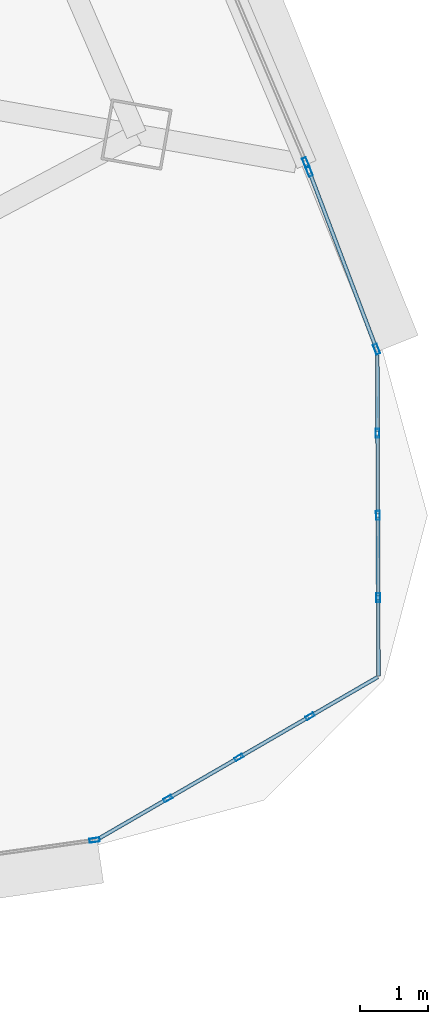
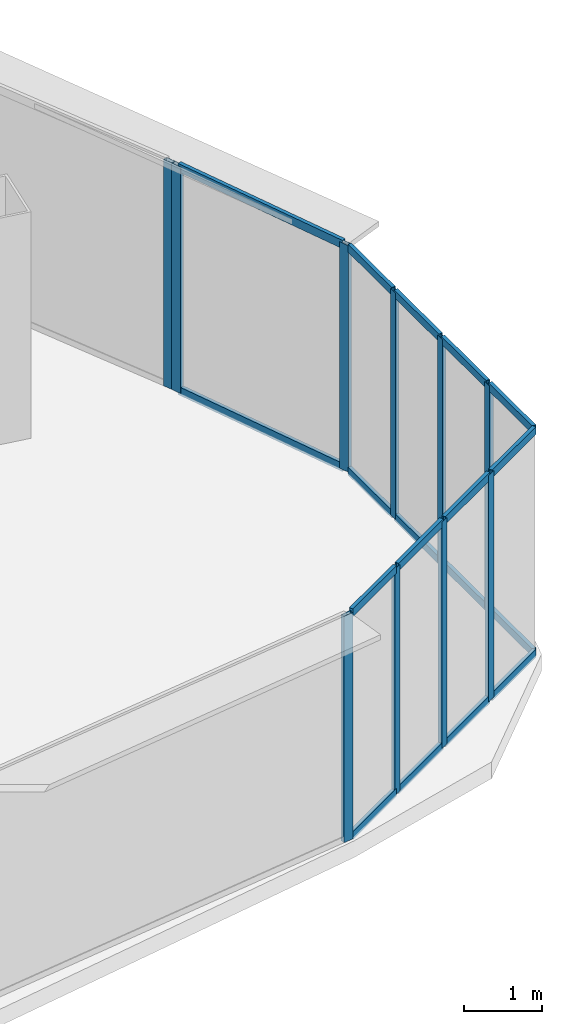
# One storey, part 24 of 40: 28 members, 5 elements without a shape of their own.
"""IFC4 building model written with IfcOpenShell, lengths in metres."""

from ifc_helpers import new_model, si_unit, direction, frame, origin, origin_2d, place, context, subcontext, project, spatial, hollow_rectangle, extrude, source, transform, mapped, material, layer, layer_set, material_profile, profile_set, type_object, element, aggregate, save


model = new_model("IFC4")

# Units and contexts
model_context = context("Model", 3, precision=1e-05, world=origin(), true_north=direction((0.0, 1.0)))
body_context = subcontext(model_context, "Body", "Model", "MODEL_VIEW")
ifc_project = project(units=[si_unit("LENGTHUNIT", "METRE"), si_unit("AREAUNIT", "SQUARE_METRE"), si_unit("VOLUMEUNIT", "CUBIC_METRE"), si_unit("PLANEANGLEUNIT", "RADIAN"), si_unit("MASSUNIT", "GRAM", prefix="KILO"), si_unit("THERMODYNAMICTEMPERATUREUNIT", "KELVIN"), si_unit("POWERUNIT", "WATT")], contexts=[model_context])

# Site, building, storey
site_placement = place(None, origin())
site = spatial("IfcSite", under=ifc_project, at=site_placement, CompositionType="ELEMENT")
building_placement = place(site_placement, origin())
building = spatial("IfcBuilding", under=site, at=building_placement, Name="Yunzhuo Pagoda Commons", CompositionType="ELEMENT")
storey_placement = place(building_placement, frame((0.0, 0.0, 180.9599609375)))
storey = spatial("IfcBuildingStorey", under=building, at=storey_placement, Name="L45", CompositionType="ELEMENT", Elevation=180.9599609375)

# Curtain wall, members
ifc_material = material(Name="Anodized aluminium 6063-T6", Category="aluminium")
ifc_layer_1 = layer(ifc_material, 0.1298828125)
ifc_layer_set_1 = layer_set([ifc_layer_1], Name="Anodized aluminium 6063-T6")
curtain_wall_type_1 = type_object("IfcCurtainWallType", Name="CW-VTX Rounded Corner Curtain Wall", PredefinedType="NOTDEFINED", material=ifc_layer_set_1)
curtain_wall_1_placement = place(storey_placement, origin())
curtain_wall_1 = element("IfcCurtainWall", 1, at=curtain_wall_1_placement, inside=storey, type_object=curtain_wall_type_1, Name="L45 curtain wall CW-L45-VTX2S1", PredefinedType="NOTDEFINED")
ifc_material_profile_1 = material_profile(ifc_material, hollow_rectangle(XDim=0.054931640625, YDim=0.1298828125, WallThickness=0.00341796875, at=origin_2d()), Name="Anodized aluminium 6063-T6")
ifc_profile_set_1 = profile_set([ifc_material_profile_1], Name="Anodized aluminium 6063-T6")
member_type_1 = type_object("IfcMemberType", Name="CW-VTX-M Mullion RHS 130x55x3.5", PredefinedType="MULLION", material=ifc_profile_set_1)
shared_shape_1 = source(origin(), body_context, "Body", "SweptSolid", [
    extrude(hollow_rectangle(XDim=0.054931640625, YDim=0.1298828125, WallThickness=0.00341796875, at=origin_2d()), origin(), (0.0, 0.0, 1.0), 3.5400390625),
])
member_1_placement = place(storey_placement, frame((83.66357421875, 17.789306640625, 0.0), z_axis=(0.0, 0.0, 1.0), x_axis=(-0.501040373263, 0.865423910208, 0.0)))
member_1 = element("IfcMember", 2, at=member_1_placement, type_object=member_type_1, Name="CW mullion 2", PredefinedType="MULLION", context=body_context, shape_type="MappedRepresentation", body=[
    mapped(shared_shape_1, transform((0.0, 0.0, 0.0), scale=1.0)),
])
member_2_placement = place(storey_placement, frame((84.702880859375, 18.390869140625, 0.0), z_axis=(0.0, 0.0, 1.0), x_axis=(-0.501040373263, 0.865423910208, 0.0)))
member_2 = element("IfcMember", 3, at=member_2_placement, type_object=member_type_1, Name="CW mullion 3", PredefinedType="MULLION", context=body_context, shape_type="MappedRepresentation", body=[
    mapped(shared_shape_1, transform((0.0, 0.0, 0.0), scale=1.0)),
])
member_3_placement = place(storey_placement, frame((85.742431640625, 18.99267578125, 0.0), z_axis=(0.0, 0.0, 1.0), x_axis=(-0.501040373263, 0.865423910208, 0.0)))
member_3 = element("IfcMember", 4, at=member_3_placement, type_object=member_type_1, Name="CW mullion 4", PredefinedType="MULLION", context=body_context, shape_type="MappedRepresentation", body=[
    mapped(shared_shape_1, transform((0.0, 0.0, 0.0), scale=1.0)),
])

curtain_wall_2_placement = place(storey_placement, origin())
curtain_wall_2 = element("IfcCurtainWall", 5, at=curtain_wall_2_placement, inside=storey, type_object=curtain_wall_type_1, Name="L45 curtain wall CW-L45-VTX2S2", PredefinedType="NOTDEFINED")
member_4_placement = place(storey_placement, frame((86.737548828125, 20.725830078125, 0.0), z_axis=(0.0, 0.0, 1.0), x_axis=(-0.99999359061, -0.003580326762, 0.0)))
member_4 = element("IfcMember", 6, at=member_4_placement, type_object=member_type_1, Name="CW mullion 2", PredefinedType="MULLION", context=body_context, shape_type="MappedRepresentation", body=[
    mapped(shared_shape_1, transform((0.0, 0.0, 0.0), scale=1.0)),
])
member_5_placement = place(storey_placement, frame((86.733154296875, 21.927001953125, 0.0), z_axis=(0.0, 0.0, 1.0), x_axis=(-0.99999359061, -0.003580326762, 0.0)))
member_5 = element("IfcMember", 7, at=member_5_placement, type_object=member_type_1, Name="CW mullion 3", PredefinedType="MULLION", context=body_context, shape_type="MappedRepresentation", body=[
    mapped(shared_shape_1, transform((0.0, 0.0, 0.0), scale=1.0)),
])
member_6_placement = place(storey_placement, frame((86.72900390625, 23.1279296875, 0.0), z_axis=(0.0, 0.0, 1.0), x_axis=(-0.99999359061, -0.003580326762, 0.0)))
member_6 = element("IfcMember", 8, at=member_6_placement, type_object=member_type_1, Name="CW mullion 4", PredefinedType="MULLION", context=body_context, shape_type="MappedRepresentation", body=[
    mapped(shared_shape_1, transform((0.0, 0.0, 0.0), scale=1.0)),
])

# Curtain wall, member
ifc_layer_2 = layer(ifc_material, 0.14990234375)
ifc_layer_set_2 = layer_set([ifc_layer_2], Name="Anodized aluminium 6063-T6")
curtain_wall_type_2 = type_object("IfcCurtainWallType", Name="CW-MID Mid-Zone Ribbon Curtain Wall", PredefinedType="NOTDEFINED", material=ifc_layer_set_2)
curtain_wall_3_placement = place(storey_placement, origin())
curtain_wall_3 = element("IfcCurtainWall", 9, at=curtain_wall_3_placement, inside=storey, type_object=curtain_wall_type_2, Name="L45 curtain wall CW-L45-F1B5", PredefinedType="NOTDEFINED")
ifc_material_profile_2 = material_profile(ifc_material, hollow_rectangle(XDim=0.06005859375, YDim=0.14990234375, WallThickness=0.00390625, at=origin_2d()), Name="Anodized aluminium 6063-T6")
ifc_profile_set_2 = profile_set([ifc_material_profile_2], Name="Anodized aluminium 6063-T6")
member_type_2 = type_object("IfcMemberType", Name="CW-MID-M Mullion RHS 150x60x4", PredefinedType="MULLION", material=ifc_profile_set_2)
shared_shape_2 = source(origin(), body_context, "Body", "SweptSolid", [
    extrude(hollow_rectangle(XDim=0.06005859375, YDim=0.14990234375, WallThickness=0.00390625, at=origin_2d()), origin(), (0.0, 0.0, 1.0), 3.5400390625),
])
member_7_placement = place(storey_placement, frame((82.594482421875, 17.183349609375, 0.0), z_axis=(0.0, 0.0, 1.0), x_axis=(-0.139233100351, 0.990259634524, 0.0)))
member_7 = element("IfcMember", 10, at=member_7_placement, type_object=member_type_2, Name="CW mullion 2", PredefinedType="MULLION", context=body_context, shape_type="MappedRepresentation", body=[
    mapped(shared_shape_2, transform((0.0, 0.0, 0.0), scale=1.0)),
])
aggregate(curtain_wall_3, [member_7])

curtain_wall_4_placement = place(storey_placement, origin())
curtain_wall_4 = element("IfcCurtainWall", 11, at=curtain_wall_4_placement, inside=storey, type_object=curtain_wall_type_2, Name="L45 curtain wall CW-L45-F2B2", PredefinedType="NOTDEFINED")
member_8_placement = place(storey_placement, frame((85.6806640625, 27.081298828125, 0.0), z_axis=(0.0, 0.0, 1.0), x_axis=(-0.920515325194, -0.390706457693, 0.0)))
member_8 = element("IfcMember", 12, at=member_8_placement, type_object=member_type_2, Name="CW mullion 1", PredefinedType="MULLION", context=body_context, shape_type="MappedRepresentation", body=[
    mapped(shared_shape_2, transform((0.0, 0.0, 0.0), scale=1.0)),
])
aggregate(curtain_wall_4, [member_8])

# Curtain wall, members
curtain_wall_5_placement = place(storey_placement, origin())
curtain_wall_5 = element("IfcCurtainWall", 13, at=curtain_wall_5_placement, inside=storey, type_object=curtain_wall_type_2, Name="L45 curtain wall CW-L45-F2B1", PredefinedType="NOTDEFINED")
member_9_placement = place(storey_placement, frame((86.7138671875, 24.35693359375, 0.0), z_axis=(0.0, 0.0, 1.0), x_axis=(-0.935148483493, -0.354256000401, 0.0)))
member_9 = element("IfcMember", 14, at=member_9_placement, type_object=member_type_2, Name="CW mullion 1", PredefinedType="MULLION", context=body_context, shape_type="MappedRepresentation", body=[
    mapped(shared_shape_2, transform((0.0, 0.0, 0.0), scale=1.0)),
])
member_10_placement = place(storey_placement, frame((85.7294921875, 26.95556640625, 0.0), z_axis=(0.0, 0.0, 1.0), x_axis=(-0.935148483493, -0.354256000401, 0.0)))
member_10 = element("IfcMember", 15, at=member_10_placement, type_object=member_type_2, Name="CW mullion 2", PredefinedType="MULLION", context=body_context, shape_type="MappedRepresentation", body=[
    mapped(shared_shape_2, transform((0.0, 0.0, 0.0), scale=1.0)),
])
ifc_material_profile_3 = material_profile(ifc_material, hollow_rectangle(XDim=0.054931640625, YDim=0.1298828125, WallThickness=0.00341796875, at=origin_2d()), Name="Anodized aluminium 6063-T6")
ifc_profile_set_3 = profile_set([ifc_material_profile_3], Name="Anodized aluminium 6063-T6")
member_type_3 = type_object("IfcMemberType", Name="CW-MID-T Transom RHS 130x55x3.5", PredefinedType="USERDEFINED", material=ifc_profile_set_3)
shared_shape_3 = source(origin(), body_context, "Body", "SweptSolid", [
    extrude(hollow_rectangle(XDim=0.054931640625, YDim=0.1298828125, WallThickness=0.00341796875, at=origin_2d()), origin(), (0.0, 0.0, 1.0), 2.71875),
])
member_11_placement = place(storey_placement, frame((86.703369140625, 24.385009765625, 0.027587890625), z_axis=(-0.354250859445, 0.935150430991, 0.0), x_axis=(-0.935150430991, -0.354250859445, 0.0)))
member_11 = element("IfcMember", 16, at=member_11_placement, type_object=member_type_3, Name="CW transom 1.1", ObjectType="TRANSOM", PredefinedType="USERDEFINED", context=body_context, shape_type="MappedRepresentation", body=[
    mapped(shared_shape_3, transform((0.0, 0.0, 0.0), scale=1.0)),
])
member_12_placement = place(storey_placement, frame((86.703369140625, 24.385009765625, 3.512451171875), z_axis=(-0.354250859445, 0.935150430991, 0.0), x_axis=(-0.935150430991, -0.354250859445, 0.0)))
member_12 = element("IfcMember", 17, at=member_12_placement, type_object=member_type_3, Name="CW transom 1.2", ObjectType="TRANSOM", PredefinedType="USERDEFINED", context=body_context, shape_type="MappedRepresentation", body=[
    mapped(shared_shape_3, transform((0.0, 0.0, 0.0), scale=1.0)),
])
aggregate(curtain_wall_5, [member_9, member_10, member_11, member_12])

# Member
ifc_material_profile_4 = material_profile(ifc_material, hollow_rectangle(XDim=0.054931640625, YDim=0.1201171875, WallThickness=0.00341796875, at=origin_2d()), Name="Anodized aluminium 6063-T6")
ifc_profile_set_4 = profile_set([ifc_material_profile_4], Name="Anodized aluminium 6063-T6")
member_type_4 = type_object("IfcMemberType", Name="CW-VTX-T Transom RHS 120x55x3.5", PredefinedType="USERDEFINED", material=ifc_profile_set_4)
shared_shape_4 = source(origin(), body_context, "Body", "SweptSolid", [
    extrude(hollow_rectangle(XDim=0.054931640625, YDim=0.1201171875, WallThickness=0.00341796875, at=origin_2d()), origin(), (0.0, 0.0, 1.0), 1.118408203125),
])
member_13_placement = place(storey_placement, frame((86.728759765625, 23.155517578125, 0.027587890625), z_axis=(-0.003274376684, 0.999994639214, 0.0), x_axis=(-0.999994639214, -0.003274376684, 0.0)))
member_13 = element("IfcMember", 18, at=member_13_placement, type_object=member_type_4, Name="CW transom 4.1", ObjectType="TRANSOM", PredefinedType="USERDEFINED", context=body_context, shape_type="MappedRepresentation", body=[
    mapped(shared_shape_4, transform((0.0, 0.0, 0.0), scale=1.0)),
])

member_14_placement = place(storey_placement, frame((86.728759765625, 23.155517578125, 3.512451171875), z_axis=(-0.003274376684, 0.999994639214, 0.0), x_axis=(-0.999994639214, -0.003274376684, 0.0)))
member_14 = element("IfcMember", 19, at=member_14_placement, type_object=member_type_4, Name="CW transom 4.2", ObjectType="TRANSOM", PredefinedType="USERDEFINED", context=body_context, shape_type="MappedRepresentation", body=[
    mapped(shared_shape_4, transform((0.0, 0.0, 0.0), scale=1.0)),
])

shared_shape_5 = source(origin(), body_context, "Body", "SweptSolid", [
    extrude(hollow_rectangle(XDim=0.054931640625, YDim=0.1201171875, WallThickness=0.00341796875, at=origin_2d()), origin(), (0.0, 0.0, 1.0), 1.14599609375),
])
member_15_placement = place(storey_placement, frame((83.687255859375, 17.80322265625, 0.027587890625), z_axis=(0.865542942623, 0.500834717722, 0.0), x_axis=(-0.500834717722, 0.865542942623, 0.0)))
member_15 = element("IfcMember", 20, at=member_15_placement, type_object=member_type_4, Name="CW transom 2.1", ObjectType="TRANSOM", PredefinedType="USERDEFINED", context=body_context, shape_type="MappedRepresentation", body=[
    mapped(shared_shape_5, transform((0.0, 0.0, 0.0), scale=1.0)),
])

member_16_placement = place(storey_placement, frame((83.687255859375, 17.80322265625, 3.512451171875), z_axis=(0.865542942623, 0.500834717722, 0.0), x_axis=(-0.500834717722, 0.865542942623, 0.0)))
member_16 = element("IfcMember", 21, at=member_16_placement, type_object=member_type_4, Name="CW transom 2.2", ObjectType="TRANSOM", PredefinedType="USERDEFINED", context=body_context, shape_type="MappedRepresentation", body=[
    mapped(shared_shape_5, transform((0.0, 0.0, 0.0), scale=1.0)),
])

member_17_placement = place(storey_placement, frame((86.7373046875, 20.75341796875, 0.027587890625), z_axis=(-0.003408586931, 0.999994190751, 0.0), x_axis=(-0.999994190751, -0.003408586931, 0.0)))
member_17 = element("IfcMember", 22, at=member_17_placement, type_object=member_type_4, Name="CW transom 2.1", ObjectType="TRANSOM", PredefinedType="USERDEFINED", context=body_context, shape_type="MappedRepresentation", body=[
    mapped(shared_shape_5, transform((0.0, 0.0, 0.0), scale=1.0)),
])

member_18_placement = place(storey_placement, frame((86.7373046875, 20.75341796875, 3.512451171875), z_axis=(-0.003408586931, 0.999994190751, 0.0), x_axis=(-0.999994190751, -0.003408586931, 0.0)))
member_18 = element("IfcMember", 23, at=member_18_placement, type_object=member_type_4, Name="CW transom 2.2", ObjectType="TRANSOM", PredefinedType="USERDEFINED", context=body_context, shape_type="MappedRepresentation", body=[
    mapped(shared_shape_5, transform((0.0, 0.0, 0.0), scale=1.0)),
])

member_19_placement = place(storey_placement, frame((86.733154296875, 21.954345703125, 0.027587890625), z_axis=(-0.003621620902, 0.99999344191, 0.0), x_axis=(-0.99999344191, -0.003621620902, 0.0)))
member_19 = element("IfcMember", 24, at=member_19_placement, type_object=member_type_4, Name="CW transom 3.1", ObjectType="TRANSOM", PredefinedType="USERDEFINED", context=body_context, shape_type="MappedRepresentation", body=[
    mapped(shared_shape_5, transform((0.0, 0.0, 0.0), scale=1.0)),
])

member_20_placement = place(storey_placement, frame((86.733154296875, 21.954345703125, 3.512451171875), z_axis=(-0.003621620902, 0.99999344191, 0.0), x_axis=(-0.99999344191, -0.003621620902, 0.0)))
member_20 = element("IfcMember", 25, at=member_20_placement, type_object=member_type_4, Name="CW transom 3.2", ObjectType="TRANSOM", PredefinedType="USERDEFINED", context=body_context, shape_type="MappedRepresentation", body=[
    mapped(shared_shape_5, transform((0.0, 0.0, 0.0), scale=1.0)),
])

shared_shape_6 = source(origin(), body_context, "Body", "SweptSolid", [
    extrude(hollow_rectangle(XDim=0.054931640625, YDim=0.1201171875, WallThickness=0.00341796875, at=origin_2d()), origin(), (0.0, 0.0, 1.0), 1.11865234375),
])
member_21_placement = place(storey_placement, frame((82.671875, 17.21484375, 0.027587890625), z_axis=(0.865381453688, 0.501113699286, 0.0), x_axis=(-0.501113699286, 0.865381453688, 0.0)))
member_21 = element("IfcMember", 26, at=member_21_placement, type_object=member_type_4, Name="CW transom 1.1", ObjectType="TRANSOM", PredefinedType="USERDEFINED", context=body_context, shape_type="MappedRepresentation", body=[
    mapped(shared_shape_6, transform((0.0, 0.0, 0.0), scale=1.0)),
])

member_22_placement = place(storey_placement, frame((82.671875, 17.21484375, 3.512451171875), z_axis=(0.865381453688, 0.501113699286, 0.0), x_axis=(-0.501113699286, 0.865381453688, 0.0)))
member_22 = element("IfcMember", 27, at=member_22_placement, type_object=member_type_4, Name="CW transom 1.2", ObjectType="TRANSOM", PredefinedType="USERDEFINED", context=body_context, shape_type="MappedRepresentation", body=[
    mapped(shared_shape_6, transform((0.0, 0.0, 0.0), scale=1.0)),
])

member_23_placement = place(storey_placement, frame((85.76611328125, 19.00634765625, 0.027587890625), z_axis=(0.865286801304, 0.501277120453, 0.0), x_axis=(-0.501277120453, 0.865286801304, 0.0)))
member_23 = element("IfcMember", 28, at=member_23_placement, type_object=member_type_4, Name="CW transom 4.1", ObjectType="TRANSOM", PredefinedType="USERDEFINED", context=body_context, shape_type="MappedRepresentation", body=[
    mapped(shared_shape_6, transform((0.0, 0.0, 0.0), scale=1.0)),
])

member_24_placement = place(storey_placement, frame((85.76611328125, 19.00634765625, 3.512451171875), z_axis=(0.865286801304, 0.501277120453, 0.0), x_axis=(-0.501277120453, 0.865286801304, 0.0)))
member_24 = element("IfcMember", 29, at=member_24_placement, type_object=member_type_4, Name="CW transom 4.2", ObjectType="TRANSOM", PredefinedType="USERDEFINED", context=body_context, shape_type="MappedRepresentation", body=[
    mapped(shared_shape_6, transform((0.0, 0.0, 0.0), scale=1.0)),
])

member_25_placement = place(storey_placement, frame((86.74169921875, 19.579833984375, 0.027587890625), z_axis=(-0.003710144696, 0.999993117389, 0.0), x_axis=(-0.999993117389, -0.003710144696, 0.0)))
member_25 = element("IfcMember", 30, at=member_25_placement, type_object=member_type_4, Name="CW transom 1.1", ObjectType="TRANSOM", PredefinedType="USERDEFINED", context=body_context, shape_type="MappedRepresentation", body=[
    mapped(shared_shape_6, transform((0.0, 0.0, 0.0), scale=1.0)),
])

member_26_placement = place(storey_placement, frame((86.74169921875, 19.579833984375, 3.512451171875), z_axis=(-0.003710144696, 0.999993117389, 0.0), x_axis=(-0.999993117389, -0.003710144696, 0.0)))
member_26 = element("IfcMember", 31, at=member_26_placement, type_object=member_type_4, Name="CW transom 1.2", ObjectType="TRANSOM", PredefinedType="USERDEFINED", context=body_context, shape_type="MappedRepresentation", body=[
    mapped(shared_shape_6, transform((0.0, 0.0, 0.0), scale=1.0)),
])

aggregate(curtain_wall_2, [member_4, member_5, member_6, member_25, member_26, member_17, member_18, member_19, member_20, member_13, member_14])

shared_shape_7 = source(origin(), body_context, "Body", "SweptSolid", [
    extrude(hollow_rectangle(XDim=0.054931640625, YDim=0.1201171875, WallThickness=0.00341796875, at=origin_2d()), origin(), (0.0, 0.0, 1.0), 1.145751953125),
])
member_27_placement = place(storey_placement, frame((84.726806640625, 18.40478515625, 0.027587890625), z_axis=(0.865489492245, 0.500927079337, 0.0), x_axis=(-0.500927079337, 0.865489492245, 0.0)))
member_27 = element("IfcMember", 32, at=member_27_placement, type_object=member_type_4, Name="CW transom 3.1", ObjectType="TRANSOM", PredefinedType="USERDEFINED", context=body_context, shape_type="MappedRepresentation", body=[
    mapped(shared_shape_7, transform((0.0, 0.0, 0.0), scale=1.0)),
])

member_28_placement = place(storey_placement, frame((84.726806640625, 18.40478515625, 3.512451171875), z_axis=(0.865489492245, 0.500927079337, 0.0), x_axis=(-0.500927079337, 0.865489492245, 0.0)))
member_28 = element("IfcMember", 33, at=member_28_placement, type_object=member_type_4, Name="CW transom 3.2", ObjectType="TRANSOM", PredefinedType="USERDEFINED", context=body_context, shape_type="MappedRepresentation", body=[
    mapped(shared_shape_7, transform((0.0, 0.0, 0.0), scale=1.0)),
])

aggregate(curtain_wall_1, [member_1, member_2, member_3, member_21, member_22, member_15, member_16, member_27, member_28, member_23, member_24])

save(model, "model.ifc")
